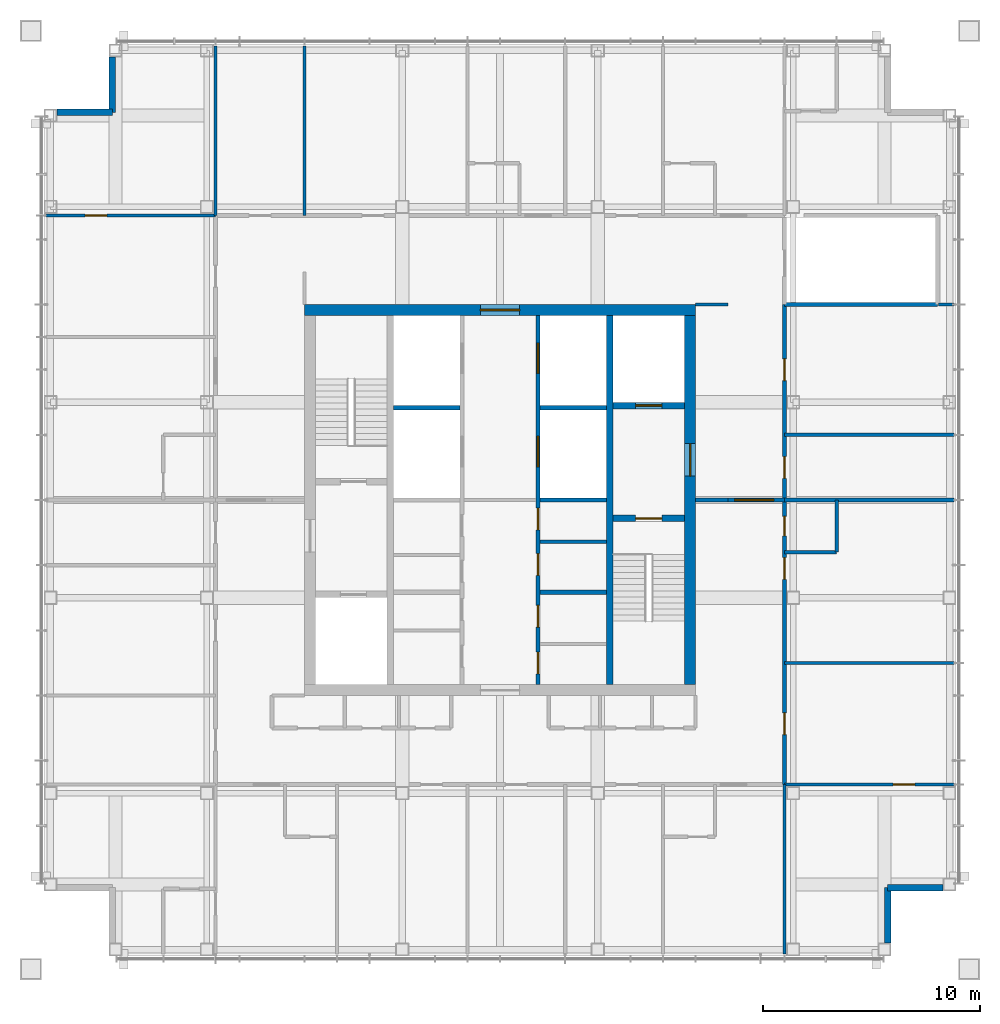
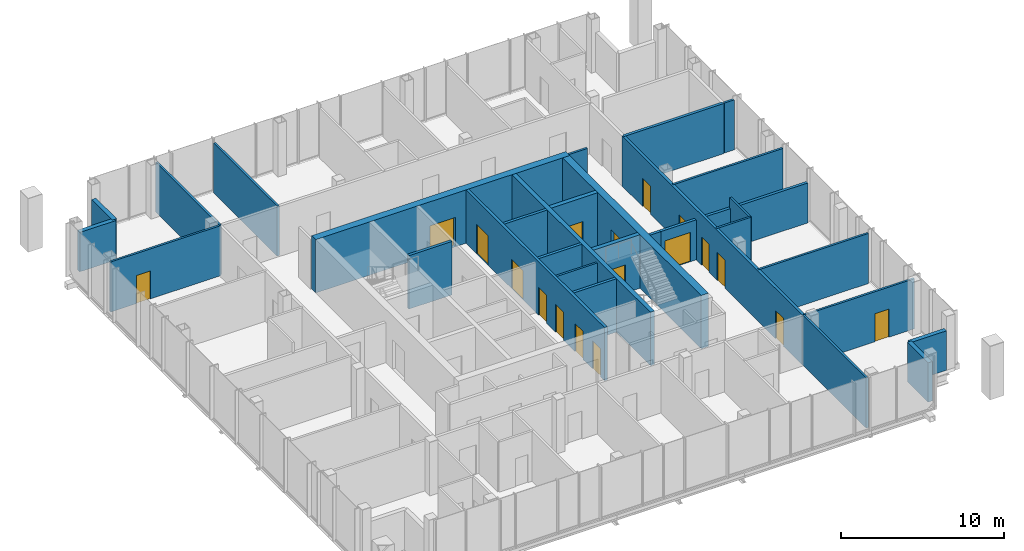
# One storey, part 9 of 12: 31 walls, 18 doors, 18 openings.
"""IFC4 building model written with IfcOpenShell, lengths in metres."""

from ifc_helpers import new_model, si_unit, direction, frame, frame_2d, origin, place, context, subcontext, project, spatial, rectangle, extrude, material, layer, layer_set, type_object, element, fill, save


model = new_model("IFC4")

# Units and contexts
model_context = context("Model", 3, precision=1e-05, world=origin(), true_north=direction((0.0, 1.0)))
body_context = subcontext(model_context, "Body", "Model", "MODEL_VIEW")
ifc_project = project(units=[si_unit("LENGTHUNIT", "METRE"), si_unit("AREAUNIT", "SQUARE_METRE"), si_unit("VOLUMEUNIT", "CUBIC_METRE"), si_unit("PLANEANGLEUNIT", "RADIAN"), si_unit("MASSUNIT", "GRAM", prefix="KILO")], contexts=[model_context])

# Site, building, storey
site_placement = place(None, origin())
site = spatial("IfcSite", under=ifc_project, at=site_placement, CompositionType="ELEMENT")
building_placement = place(site_placement, origin())
building = spatial("IfcBuilding", under=site, at=building_placement, Name="Malebo Sky Hospital", CompositionType="ELEMENT")
storey_placement = place(building_placement, frame((0.0, 0.0, 286.0)))
storey = spatial("IfcBuildingStorey", under=building, at=storey_placement, Name="L69", CompositionType="ELEMENT", Elevation=286.0)

# Wall, openings, doors
ifc_material_1 = material(Name="Concrete C80/95", Category="concrete")
ifc_layer_1 = layer(ifc_material_1, 0.199951171875)
ifc_layer_set_1 = layer_set([ifc_layer_1], Name="CORE INNER WALL 200")
wall_type_1 = type_object("IfcWallType", Name="CORE INNER WALL 200", PredefinedType="SHEAR", material=ifc_layer_set_1)
wall_1_placement = place(storey_placement, frame((61.75, 53.5, 0.0), z_axis=(0.0, 0.0, 1.0), x_axis=(0.0, 1.0, 0.0)))
wall_1 = element("IfcWall", 1, at=wall_1_placement, inside=storey, type_object=wall_type_1, Name="Core wall LE L69", PredefinedType="SHEAR", context=body_context, shape_type="SweptSolid", body=[
    extrude(rectangle(XDim=17.0, YDim=0.199951171875, at=frame_2d((8.5, 0.0))), origin(), (0.0, 0.0, 1.0), 4.0),
])
opening_1_placement = place(wall_1_placement, frame((0.49609375, 0.0, 0.0)))
opening_1 = element("IfcOpeningElement", 2, at=opening_1_placement, cuts=wall_1, Name="Opening D17", PredefinedType="OPENING", context=body_context, shape_type="SweptSolid", body=[
    extrude(rectangle(XDim=1.0, YDim=2.10009765625, at=frame_2d((0.5, 1.050048828125))), frame((0.0, 0.10986328125, 0.0), z_axis=(0.0, -1.0, 0.0), x_axis=(1.0, 0.0, 0.0)), (0.0, 0.0, 1.0), 0.219970703125),
])
opening_2_placement = place(wall_1_placement, frame((2.64599609375, 0.0, 0.0)))
opening_2 = element("IfcOpeningElement", 3, at=opening_2_placement, cuts=wall_1, Name="Opening D17", PredefinedType="OPENING", context=body_context, shape_type="SweptSolid", body=[
    extrude(rectangle(XDim=1.0, YDim=2.10009765625, at=frame_2d((0.5, 1.050048828125))), frame((0.0, 0.10986328125, 0.0), z_axis=(0.0, -1.0, 0.0), x_axis=(1.0, 0.0, 0.0)), (0.0, 0.0, 1.0), 0.219970703125),
])
opening_3_placement = place(wall_1_placement, frame((5.026611328125, 0.0, 0.0)))
opening_3 = element("IfcOpeningElement", 4, at=opening_3_placement, cuts=wall_1, Name="Opening D17", PredefinedType="OPENING", context=body_context, shape_type="SweptSolid", body=[
    extrude(rectangle(XDim=1.0, YDim=2.10009765625, at=frame_2d((0.5, 1.050048828125))), frame((0.0, 0.10986328125, 0.0), z_axis=(0.0, -1.0, 0.0), x_axis=(1.0, 0.0, 0.0)), (0.0, 0.0, 1.0), 0.219970703125),
])
opening_4_placement = place(wall_1_placement, frame((7.12646484375, 0.0, 0.0)))
opening_4 = element("IfcOpeningElement", 5, at=opening_4_placement, cuts=wall_1, Name="Opening D17", PredefinedType="OPENING", context=body_context, shape_type="SweptSolid", body=[
    extrude(rectangle(XDim=1.0, YDim=2.10009765625, at=frame_2d((0.5, 1.050048828125))), frame((0.0, 0.10986328125, 0.0), z_axis=(0.0, -1.0, 0.0), x_axis=(1.0, 0.0, 0.0)), (0.0, 0.0, 1.0), 0.219970703125),
])
opening_5_placement = place(wall_1_placement, frame((10.02490234375, 0.0, 0.0)))
opening_5 = element("IfcOpeningElement", 6, at=opening_5_placement, cuts=wall_1, Name="Opening LD1", PredefinedType="OPENING", context=body_context, shape_type="SweptSolid", body=[
    extrude(rectangle(XDim=1.39990234375, YDim=2.199951171875, at=frame_2d((0.699951171875, 1.10009765625))), frame((0.0, 0.10986328125, 0.0), z_axis=(0.0, -1.0, 0.0), x_axis=(1.0, 0.0, 0.0)), (0.0, 0.0, 1.0), 0.219970703125),
])
opening_6_placement = place(wall_1_placement, frame((14.324951171875, 0.0, 0.0)))
opening_6 = element("IfcOpeningElement", 7, at=opening_6_placement, cuts=wall_1, Name="Opening LD1", PredefinedType="OPENING", context=body_context, shape_type="SweptSolid", body=[
    extrude(rectangle(XDim=1.39990234375, YDim=2.199951171875, at=frame_2d((0.699951171875, 1.10009765625))), frame((0.0, 0.10986328125, 0.0), z_axis=(0.0, -1.0, 0.0), x_axis=(1.0, 0.0, 0.0)), (0.0, 0.0, 1.0), 0.219970703125),
])
ifc_material_2 = material(Name="Hardwood-faced door leaf in steel frame", Category="steel")
door_type_1 = type_object("IfcDoorType", Name="FIRE DOOR 1000", OperationType="SINGLE_SWING_LEFT", PredefinedType="DOOR", material=ifc_material_2)
door_1_placement = place(opening_1_placement, origin())
door_1 = element("IfcDoor", 8, at=door_1_placement, inside=storey, type_object=door_type_1, Name="Records store door", OperationType="SINGLE_SWING_RIGHT", OverallHeight=2.10009765625, OverallWidth=1.0, PredefinedType="DOOR", context=body_context, shape_type="SweptSolid", body=[
    extrude(rectangle(XDim=1.0, YDim=2.10009765625, at=frame_2d((0.5, 1.050048828125))), frame((0.0, 0.02490234375, 0.0), z_axis=(0.0, -1.0, 0.0), x_axis=(1.0, 0.0, 0.0)), (0.0, 0.0, 1.0), 0.050048828125),
])
fill(opening_1, door_1)
door_2_placement = place(opening_2_placement, origin())
door_2 = element("IfcDoor", 9, at=door_2_placement, inside=storey, type_object=door_type_1, Name="Equipment store door", OperationType="SINGLE_SWING_RIGHT", OverallHeight=2.10009765625, OverallWidth=1.0, PredefinedType="DOOR", context=body_context, shape_type="SweptSolid", body=[
    extrude(rectangle(XDim=1.0, YDim=2.10009765625, at=frame_2d((0.5, 1.050048828125))), frame((0.0, 0.02490234375, 0.0), z_axis=(0.0, -1.0, 0.0), x_axis=(1.0, 0.0, 0.0)), (0.0, 0.0, 1.0), 0.050048828125),
])
fill(opening_2, door_2)
door_3_placement = place(opening_3_placement, origin())
door_3 = element("IfcDoor", 10, at=door_3_placement, inside=storey, type_object=door_type_1, Name="Linen store door", OperationType="SINGLE_SWING_RIGHT", OverallHeight=2.10009765625, OverallWidth=1.0, PredefinedType="DOOR", context=body_context, shape_type="SweptSolid", body=[
    extrude(rectangle(XDim=1.0, YDim=2.10009765625, at=frame_2d((0.5, 1.050048828125))), frame((0.0, 0.02490234375, 0.0), z_axis=(0.0, -1.0, 0.0), x_axis=(1.0, 0.0, 0.0)), (0.0, 0.0, 1.0), 0.050048828125),
])
fill(opening_3, door_3)
door_4_placement = place(opening_4_placement, origin())
door_4 = element("IfcDoor", 11, at=door_4_placement, inside=storey, type_object=door_type_1, Name="Supplies store door", OperationType="SINGLE_SWING_RIGHT", OverallHeight=2.10009765625, OverallWidth=1.0, PredefinedType="DOOR", context=body_context, shape_type="SweptSolid", body=[
    extrude(rectangle(XDim=1.0, YDim=2.10009765625, at=frame_2d((0.5, 1.050048828125))), frame((0.0, 0.02490234375, 0.0), z_axis=(0.0, -1.0, 0.0), x_axis=(1.0, 0.0, 0.0)), (0.0, 0.0, 1.0), 0.050048828125),
])
fill(opening_4, door_4)
ifc_material_3 = material(Name="Stainless steel sliding landing door", Category="steel")
door_type_2 = type_object("IfcDoorType", Name="LIFT LANDING DOOR 1400", OperationType="SLIDING_TO_LEFT", PredefinedType="DOOR", material=ifc_material_3)
door_5_placement = place(opening_5_placement, origin())
door_5 = element("IfcDoor", 12, at=door_5_placement, inside=storey, type_object=door_type_2, Name="Lift E3 landing door", OperationType="SLIDING_TO_LEFT", OverallHeight=2.199951171875, OverallWidth=1.39990234375, PredefinedType="DOOR", context=body_context, shape_type="SweptSolid", body=[
    extrude(rectangle(XDim=1.39990234375, YDim=2.199951171875, at=frame_2d((0.699951171875, 1.10009765625))), frame((0.0, 0.02490234375, 0.0), z_axis=(0.0, -1.0, 0.0), x_axis=(1.0, 0.0, 0.0)), (0.0, 0.0, 1.0), 0.050048828125),
])
fill(opening_5, door_5)
door_6_placement = place(opening_6_placement, origin())
door_6 = element("IfcDoor", 13, at=door_6_placement, inside=storey, type_object=door_type_2, Name="Lift E4 landing door", OperationType="SLIDING_TO_LEFT", OverallHeight=2.199951171875, OverallWidth=1.39990234375, PredefinedType="DOOR", context=body_context, shape_type="SweptSolid", body=[
    extrude(rectangle(XDim=1.39990234375, YDim=2.199951171875, at=frame_2d((0.699951171875, 1.10009765625))), frame((0.0, 0.02490234375, 0.0), z_axis=(0.0, -1.0, 0.0), x_axis=(1.0, 0.0, 0.0)), (0.0, 0.0, 1.0), 0.050048828125),
])
fill(opening_6, door_6)

# Walls
for number, where, z_axis, x_axis, name in (
    (14, (61.85009765625, 57.75, 0.0), (0.0, 0.0, 1.0), (1.0, 0.0, 0.0), "Core wall SE0 L69"),
    (15, (61.85009765625, 62.0, 0.0), (0.0, 0.0, 1.0), (1.0, 0.0, 0.0), "Core wall SE1 L69"),
    (16, (55.10009765625, 66.25, 0.0), (0.0, 0.0, 1.0), (1.0, 0.0, 0.0), "Core wall SW2 L69"),
    (17, (61.85009765625, 66.25, 0.0), (0.0, 0.0, 1.0), (1.0, 0.0, 0.0), "Core wall SE2 L69"),
):
    element("IfcWall", number, at=place(storey_placement, frame(where, z_axis=z_axis, x_axis=x_axis)), inside=storey, type_object=wall_type_1, Name=name, PredefinedType="SHEAR", context=body_context, shape_type="SweptSolid", body=[
        extrude(rectangle(XDim=3.0498046875, YDim=0.199951171875, at=frame_2d((1.52490234375, 0.0))), origin(), (0.0, 0.0, 1.0), 4.0),
    ])
ifc_layer_2 = layer(ifc_material_1, 0.300048828125)
ifc_layer_set_2 = layer_set([ifc_layer_2], Name="CORE INNER WALL 300")
wall_type_2 = type_object("IfcWallType", Name="CORE INNER WALL 300", PredefinedType="SHEAR", material=ifc_layer_set_2)
wall_2_placement = place(storey_placement, frame((65.050048828125, 53.5, 0.0), z_axis=(0.0, 0.0, 1.0), x_axis=(0.0, 1.0, 0.0)))
element("IfcWall", 18, at=wall_2_placement, inside=storey, type_object=wall_type_2, Name="Core wall XE L69", PredefinedType="SHEAR", context=body_context, shape_type="SweptSolid", body=[
    extrude(rectangle(XDim=17.0, YDim=0.300048828125, at=frame_2d((8.5, 0.0))), origin(), (0.0, 0.0, 1.0), 4.0),
])

# Wall, opening, door
wall_3_placement = place(storey_placement, frame((65.199951171875, 61.14990234375, 0.0), z_axis=(0.0, 0.0, 1.0), x_axis=(1.0, 0.0, 0.0)))
wall_3 = element("IfcWall", 19, at=wall_3_placement, inside=storey, type_object=wall_type_2, Name="Core wall E1 L69", PredefinedType="SHEAR", context=body_context, shape_type="SweptSolid", body=[
    extrude(rectangle(XDim=3.300048828125, YDim=0.300048828125, at=frame_2d((1.64990234375, 0.0))), origin(), (0.0, 0.0, 1.0), 4.0),
])
opening_7_placement = place(wall_3_placement, frame((1.050048828125, 0.0, 0.0)))
opening_7 = element("IfcOpeningElement", 20, at=opening_7_placement, cuts=wall_3, Name="Opening D08", PredefinedType="OPENING", context=body_context, shape_type="SweptSolid", body=[
    extrude(rectangle(XDim=1.199951171875, YDim=2.10009765625, at=frame_2d((0.60009765625, 1.050048828125))), frame((0.0, 0.159912109375, 0.0), z_axis=(0.0, -1.0, 0.0), x_axis=(1.0, 0.0, 0.0)), (0.0, 0.0, 1.0), 0.320068359375),
])
door_type_3 = type_object("IfcDoorType", Name="STAIR DOOR 1200", OperationType="SINGLE_SWING_LEFT", PredefinedType="DOOR", material=ifc_material_2)
door_7_placement = place(opening_7_placement, origin())
door_7 = element("IfcDoor", 21, at=door_7_placement, inside=storey, type_object=door_type_3, Name="Stair S2 door", OperationType="SINGLE_SWING_LEFT", OverallHeight=2.10009765625, OverallWidth=1.199951171875, PredefinedType="DOOR", context=body_context, shape_type="SweptSolid", body=[
    extrude(rectangle(XDim=1.199951171875, YDim=2.10009765625, at=frame_2d((0.60009765625, 1.050048828125))), frame((0.0, 0.02490234375, 0.0), z_axis=(0.0, -1.0, 0.0), x_axis=(1.0, 0.0, 0.0)), (0.0, 0.0, 1.0), 0.050048828125),
])
fill(opening_7, door_7)

wall_4_placement = place(storey_placement, frame((65.199951171875, 66.35009765625, 0.0), z_axis=(0.0, 0.0, 1.0), x_axis=(1.0, 0.0, 0.0)))
wall_4 = element("IfcWall", 22, at=wall_4_placement, inside=storey, type_object=wall_type_2, Name="Core wall E2 L69", PredefinedType="SHEAR", context=body_context, shape_type="SweptSolid", body=[
    extrude(rectangle(XDim=3.300048828125, YDim=0.300048828125, at=frame_2d((1.64990234375, 0.0))), origin(), (0.0, 0.0, 1.0), 4.0),
])
opening_8_placement = place(wall_4_placement, frame((1.050048828125, 0.0, 0.0)))
opening_8 = element("IfcOpeningElement", 23, at=opening_8_placement, cuts=wall_4, Name="Opening LD2", PredefinedType="OPENING", context=body_context, shape_type="SweptSolid", body=[
    extrude(rectangle(XDim=1.199951171875, YDim=2.199951171875, at=frame_2d((0.60009765625, 1.10009765625))), frame((0.0, 0.159912109375, 0.0), z_axis=(0.0, -1.0, 0.0), x_axis=(1.0, 0.0, 0.0)), (0.0, 0.0, 1.0), 0.320068359375),
])
door_type_4 = type_object("IfcDoorType", Name="FIRE-FIGHTING LIFT LANDING DOOR 1200", OperationType="SLIDING_TO_LEFT", PredefinedType="DOOR", material=ifc_material_3)
door_8_placement = place(opening_8_placement, origin())
door_8 = element("IfcDoor", 24, at=door_8_placement, inside=storey, type_object=door_type_4, Name="Lift FL2 landing door", OperationType="SLIDING_TO_LEFT", OverallHeight=2.199951171875, OverallWidth=1.199951171875, PredefinedType="DOOR", context=body_context, shape_type="SweptSolid", body=[
    extrude(rectangle(XDim=1.199951171875, YDim=2.199951171875, at=frame_2d((0.60009765625, 1.10009765625))), frame((0.0, 0.02490234375, 0.0), z_axis=(0.0, -1.0, 0.0), x_axis=(1.0, 0.0, 0.0)), (0.0, 0.0, 1.0), 0.050048828125),
])
fill(opening_8, door_8)

ifc_layer_3 = layer(ifc_material_1, 0.5)
ifc_layer_set_3 = layer_set([ifc_layer_3], Name="CORE WALL 500")
wall_type_3 = type_object("IfcWallType", Name="CORE WALL 500", PredefinedType="SHEAR", material=ifc_layer_set_3)
wall_5_placement = place(storey_placement, frame((51.0, 70.75, 0.0), z_axis=(0.0, 0.0, 1.0), x_axis=(1.0, 0.0, 0.0)))
wall_5 = element("IfcWall", 25, at=wall_5_placement, inside=storey, type_object=wall_type_3, Name="Core wall N L69", PredefinedType="SHEAR", context=body_context, shape_type="SweptSolid", body=[
    extrude(rectangle(XDim=18.0, YDim=0.5, at=frame_2d((9.0, 0.0))), origin(), (0.0, 0.0, 1.0), 4.0),
])
opening_9_placement = place(wall_5_placement, frame((8.10009765625, 0.0, 0.0)))
opening_9 = element("IfcOpeningElement", 26, at=opening_9_placement, cuts=wall_5, Name="Opening D06", PredefinedType="OPENING", context=body_context, shape_type="SweptSolid", body=[
    extrude(rectangle(XDim=1.800048828125, YDim=2.199951171875, at=frame_2d((0.89990234375, 1.10009765625))), frame((0.0, 0.260009765625, 0.0), z_axis=(0.0, -1.0, 0.0), x_axis=(1.0, 0.0, 0.0)), (0.0, 0.0, 1.0), 0.52001953125),
])
door_type_5 = type_object("IfcDoorType", Name="LOBBY DOOR PAIR 1800", OperationType="DOUBLE_DOOR_SINGLE_SWING", PredefinedType="DOOR", material=ifc_material_2)
door_9_placement = place(opening_9_placement, origin())
door_9 = element("IfcDoor", 27, at=door_9_placement, inside=storey, type_object=door_type_5, Name="Lift lobby door north", OperationType="DOUBLE_DOOR_SINGLE_SWING", OverallHeight=2.199951171875, OverallWidth=1.800048828125, PredefinedType="DOOR", context=body_context, shape_type="SweptSolid", body=[
    extrude(rectangle(XDim=1.800048828125, YDim=2.199951171875, at=frame_2d((0.89990234375, 1.10009765625))), frame((0.0, 0.02490234375, 0.0), z_axis=(0.0, -1.0, 0.0), x_axis=(1.0, 0.0, 0.0)), (0.0, 0.0, 1.0), 0.050048828125),
])
fill(opening_9, door_9)

wall_6_placement = place(storey_placement, frame((68.75, 53.5, 0.0), z_axis=(0.0, 0.0, 1.0), x_axis=(0.0, 1.0, 0.0)))
wall_6 = element("IfcWall", 28, at=wall_6_placement, inside=storey, type_object=wall_type_3, Name="Core wall E L69", PredefinedType="SHEAR", context=body_context, shape_type="SweptSolid", body=[
    extrude(rectangle(XDim=17.0, YDim=0.5, at=frame_2d((8.5, 0.0))), origin(), (0.0, 0.0, 1.0), 4.0),
])
opening_10_placement = place(wall_6_placement, frame((9.60009765625, 0.0, 0.0)))
opening_10 = element("IfcOpeningElement", 29, at=opening_10_placement, cuts=wall_6, Name="Opening D07", PredefinedType="OPENING", context=body_context, shape_type="SweptSolid", body=[
    extrude(rectangle(XDim=1.5, YDim=2.199951171875, at=frame_2d((0.75, 1.10009765625))), frame((0.0, 0.260009765625, 0.0), z_axis=(0.0, -1.0, 0.0), x_axis=(1.0, 0.0, 0.0)), (0.0, 0.0, 1.0), 0.52001953125),
])
door_type_6 = type_object("IfcDoorType", Name="FIRE-FIGHTING LOBBY DOOR PAIR 1500", OperationType="DOUBLE_DOOR_SINGLE_SWING", PredefinedType="DOOR", material=ifc_material_2)
door_10_placement = place(opening_10_placement, origin())
door_10 = element("IfcDoor", 30, at=door_10_placement, inside=storey, type_object=door_type_6, Name="Fire-fighting lobby door east", OperationType="DOUBLE_DOOR_SINGLE_SWING", OverallHeight=2.199951171875, OverallWidth=1.5, PredefinedType="DOOR", context=body_context, shape_type="SweptSolid", body=[
    extrude(rectangle(XDim=1.5, YDim=2.199951171875, at=frame_2d((0.75, 1.10009765625))), frame((0.0, 0.02490234375, 0.0), z_axis=(0.0, -1.0, 0.0), x_axis=(1.0, 0.0, 0.0)), (0.0, 0.0, 1.0), 0.050048828125),
])
fill(opening_10, door_10)

# Wall, openings, doors
ifc_material_4 = material(Name="Gypsum board on steel studs", Category="steel")
ifc_layer_4 = layer(ifc_material_4, 0.199951171875)
ifc_layer_set_4 = layer_set([ifc_layer_4], Name="CORRIDOR WALL 200")
wall_type_4 = type_object("IfcWallType", Name="CORRIDOR WALL 200", PredefinedType="PARTITIONING", material=ifc_layer_set_4)
wall_7_placement = place(storey_placement, frame((73.10009765625, 71.0, 0.0), z_axis=(0.0, 0.0, 1.0), x_axis=(0.0, -1.0, 0.0)))
wall_7 = element("IfcWall", 31, at=wall_7_placement, inside=storey, type_object=wall_type_4, Name="Corridor Wall 200 ECO", PredefinedType="PARTITIONING", context=body_context, shape_type="SweptSolid", body=[
    extrude(rectangle(XDim=22.10009765625, YDim=0.199951171875, at=frame_2d((11.050048828125, 0.0))), origin(), (0.0, 0.0, 1.0), 3.75),
])
opening_11_placement = place(wall_7_placement, frame((2.5, 0.0, 0.0)))
opening_11 = element("IfcOpeningElement", 32, at=opening_11_placement, cuts=wall_7, Name="Opening D03", PredefinedType="OPENING", context=body_context, shape_type="SweptSolid", body=[
    extrude(rectangle(XDim=1.0, YDim=2.10009765625, at=frame_2d((0.5, 1.050048828125))), frame((0.0, 0.10986328125, 0.0), z_axis=(0.0, -1.0, 0.0), x_axis=(1.0, 0.0, 0.0)), (0.0, 0.0, 1.0), 0.219970703125),
])
opening_12_placement = place(wall_7_placement, frame((7.0, 0.0, 0.0)))
opening_12 = element("IfcOpeningElement", 33, at=opening_12_placement, cuts=wall_7, Name="Opening D03", PredefinedType="OPENING", context=body_context, shape_type="SweptSolid", body=[
    extrude(rectangle(XDim=1.0, YDim=2.10009765625, at=frame_2d((0.5, 1.050048828125))), frame((0.0, 0.10986328125, 0.0), z_axis=(0.0, -1.0, 0.0), x_axis=(1.0, 0.0, 0.0)), (0.0, 0.0, 1.0), 0.219970703125),
])
opening_13_placement = place(wall_7_placement, frame((9.75, 0.0, 0.0)))
opening_13 = element("IfcOpeningElement", 34, at=opening_13_placement, cuts=wall_7, Name="Opening D04", PredefinedType="OPENING", context=body_context, shape_type="SweptSolid", body=[
    extrude(rectangle(XDim=0.89990234375, YDim=2.10009765625, at=frame_2d((0.449951171875, 1.050048828125))), frame((0.0, 0.10986328125, 0.0), z_axis=(0.0, -1.0, 0.0), x_axis=(1.0, 0.0, 0.0)), (0.0, 0.0, 1.0), 0.219970703125),
])
opening_14_placement = place(wall_7_placement, frame((11.64990234375, 0.0, 0.0)))
opening_14 = element("IfcOpeningElement", 35, at=opening_14_placement, cuts=wall_7, Name="Opening D03", PredefinedType="OPENING", context=body_context, shape_type="SweptSolid", body=[
    extrude(rectangle(XDim=1.0, YDim=2.10009765625, at=frame_2d((0.5, 1.050048828125))), frame((0.0, 0.10986328125, 0.0), z_axis=(0.0, -1.0, 0.0), x_axis=(1.0, 0.0, 0.0)), (0.0, 0.0, 1.0), 0.219970703125),
])
opening_15_placement = place(wall_7_placement, frame((18.800048828125, 0.0, 0.0)))
opening_15 = element("IfcOpeningElement", 36, at=opening_15_placement, cuts=wall_7, Name="Opening D03", PredefinedType="OPENING", context=body_context, shape_type="SweptSolid", body=[
    extrude(rectangle(XDim=1.0, YDim=2.10009765625, at=frame_2d((0.5, 1.050048828125))), frame((0.0, 0.10986328125, 0.0), z_axis=(0.0, -1.0, 0.0), x_axis=(1.0, 0.0, 0.0)), (0.0, 0.0, 1.0), 0.219970703125),
])
door_type_7 = type_object("IfcDoorType", Name="ROOM DOOR 1000", OperationType="SINGLE_SWING_LEFT", PredefinedType="DOOR", material=ifc_material_2)
door_11_placement = place(opening_11_placement, origin())
door_11 = element("IfcDoor", 37, at=door_11_placement, inside=storey, type_object=door_type_7, Name="Relatives' kitchen door", OperationType="SINGLE_SWING_LEFT", OverallHeight=2.10009765625, OverallWidth=1.0, PredefinedType="DOOR", context=body_context, shape_type="SweptSolid", body=[
    extrude(rectangle(XDim=1.0, YDim=2.10009765625, at=frame_2d((0.5, 1.050048828125))), frame((0.0, 0.02490234375, 0.0), z_axis=(0.0, -1.0, 0.0), x_axis=(1.0, 0.0, 0.0)), (0.0, 0.0, 1.0), 0.050048828125),
])
fill(opening_11, door_11)
door_12_placement = place(opening_12_placement, origin())
door_12 = element("IfcDoor", 38, at=door_12_placement, inside=storey, type_object=door_type_7, Name="Quiet room door", OperationType="SINGLE_SWING_RIGHT", OverallHeight=2.10009765625, OverallWidth=1.0, PredefinedType="DOOR", context=body_context, shape_type="SweptSolid", body=[
    extrude(rectangle(XDim=1.0, YDim=2.10009765625, at=frame_2d((0.5, 1.050048828125))), frame((0.0, 0.02490234375, 0.0), z_axis=(0.0, -1.0, 0.0), x_axis=(1.0, 0.0, 0.0)), (0.0, 0.0, 1.0), 0.050048828125),
])
fill(opening_12, door_12)
door_13_placement = place(opening_14_placement, origin())
door_13 = element("IfcDoor", 39, at=door_13_placement, inside=storey, type_object=door_type_7, Name="Staff rest room door", OperationType="SINGLE_SWING_LEFT", OverallHeight=2.10009765625, OverallWidth=1.0, PredefinedType="DOOR", context=body_context, shape_type="SweptSolid", body=[
    extrude(rectangle(XDim=1.0, YDim=2.10009765625, at=frame_2d((0.5, 1.050048828125))), frame((0.0, 0.02490234375, 0.0), z_axis=(0.0, -1.0, 0.0), x_axis=(1.0, 0.0, 0.0)), (0.0, 0.0, 1.0), 0.050048828125),
])
fill(opening_14, door_13)
door_14_placement = place(opening_15_placement, origin())
door_14 = element("IfcDoor", 40, at=door_14_placement, inside=storey, type_object=door_type_7, Name="Patient lounge door", OperationType="SINGLE_SWING_RIGHT", OverallHeight=2.10009765625, OverallWidth=1.0, PredefinedType="DOOR", context=body_context, shape_type="SweptSolid", body=[
    extrude(rectangle(XDim=1.0, YDim=2.10009765625, at=frame_2d((0.5, 1.050048828125))), frame((0.0, 0.02490234375, 0.0), z_axis=(0.0, -1.0, 0.0), x_axis=(1.0, 0.0, 0.0)), (0.0, 0.0, 1.0), 0.050048828125),
])
fill(opening_15, door_14)
door_type_8 = type_object("IfcDoorType", Name="ROOM DOOR 900", OperationType="SINGLE_SWING_LEFT", PredefinedType="DOOR", material=ifc_material_2)
door_15_placement = place(opening_13_placement, origin())
door_15 = element("IfcDoor", 41, at=door_15_placement, inside=storey, type_object=door_type_8, Name="Accessible WC door", OperationType="SINGLE_SWING_LEFT", OverallHeight=2.10009765625, OverallWidth=0.89990234375, PredefinedType="DOOR", context=body_context, shape_type="SweptSolid", body=[
    extrude(rectangle(XDim=0.89990234375, YDim=2.10009765625, at=frame_2d((0.449951171875, 1.050048828125))), frame((0.0, 0.02490234375, 0.0), z_axis=(0.0, -1.0, 0.0), x_axis=(1.0, 0.0, 0.0)), (0.0, 0.0, 1.0), 0.050048828125),
])
fill(opening_13, door_15)

# Walls
ifc_material_5 = material(Name="Anodised aluminium rainscreen on steel framing", Category="steel")
ifc_layer_5 = layer(ifc_material_5, 0.300048828125)
ifc_layer_set_5 = layer_set([ifc_layer_5], Name="NOTCH RAINSCREEN WALL 300")
wall_type_5 = type_object("IfcWallType", Name="NOTCH RAINSCREEN WALL 300", PredefinedType="ELEMENTEDWALL", material=ifc_layer_set_5)
for number, where, z_axis, x_axis, name in (
    (42, (39.60009765625, 79.85009765625, 0.0), (0.0, 0.0, 1.0), (1.0, 0.0, 0.0), "Notch rainscreen wall W1 L69"),
    (43, (42.14990234375, 79.85009765625, 0.0), (0.0, 0.0, 1.0), (0.0, 1.0, 0.0), "Notch rainscreen wall W2 L69"),
    (44, (80.39990234375, 44.14990234375, 0.0), (0.0, 0.0, 1.0), (-1.0, 0.0, 0.0), "Notch rainscreen wall E1 L69"),
    (45, (77.85009765625, 44.14990234375, 0.0), (0.0, 0.0, 1.0), (0.0, -1.0, 0.0), "Notch rainscreen wall E2 L69"),
):
    element("IfcWall", number, at=place(storey_placement, frame(where, z_axis=z_axis, x_axis=x_axis)), inside=storey, type_object=wall_type_5, Name=name, PredefinedType="ELEMENTEDWALL", context=body_context, shape_type="SweptSolid", body=[
        extrude(rectangle(XDim=2.5498046875, YDim=0.300048828125, at=frame_2d((1.27490234375, 0.0))), origin(), (0.0, 0.0, 1.0), 2.949951171875),
    ])
ifc_layer_6 = layer(ifc_material_4, 0.14990234375)
ifc_layer_set_6 = layer_set([ifc_layer_6], Name="PARTITION 150")
wall_type_6 = type_object("IfcWallType", Name="PARTITION 150", PredefinedType="PARTITIONING", material=ifc_layer_set_6)
for number, where, z_axis, x_axis, name in (
    (46, (51.0, 75.10009765625, 0.0), (0.0, 0.0, 1.0), (0.0, 1.0, 0.0), "Partition 150 NP-9.0"),
    (47, (46.89990234375, 75.10009765625, 0.0), (0.0, 0.0, 1.0), (0.0, 1.0, 0.0), "Partition 150 NP0"),
):
    element("IfcWall", number, at=place(storey_placement, frame(where, z_axis=z_axis, x_axis=x_axis)), inside=storey, type_object=wall_type_6, Name=name, PredefinedType="PARTITIONING", context=body_context, shape_type="SweptSolid", body=[
        extrude(rectangle(XDim=7.7998046875, YDim=0.14990234375, at=frame_2d((3.89990234375, 0.0))), origin(), (0.0, 0.0, 1.0), 3.75),
    ])

# Wall, opening, door
wall_8_placement = place(storey_placement, frame((46.89990234375, 75.10009765625, 0.0), z_axis=(0.0, 0.0, 1.0), x_axis=(-1.0, 0.0, 0.0)))
wall_8 = element("IfcWall", 48, at=wall_8_placement, inside=storey, type_object=wall_type_6, Name="Partition 150 WK", PredefinedType="PARTITIONING", context=body_context, shape_type="SweptSolid", body=[
    extrude(rectangle(XDim=7.7998046875, YDim=0.14990234375, at=frame_2d((3.89990234375, 0.0))), origin(), (0.0, 0.0, 1.0), 3.75),
])
opening_16_placement = place(wall_8_placement, frame((5.0, 0.0, 0.0)))
opening_16 = element("IfcOpeningElement", 49, at=opening_16_placement, cuts=wall_8, Name="Opening D03", PredefinedType="OPENING", context=body_context, shape_type="SweptSolid", body=[
    extrude(rectangle(XDim=1.0, YDim=2.10009765625, at=frame_2d((0.5, 1.050048828125))), frame((0.0, 0.0849609375, 0.0), z_axis=(0.0, -1.0, 0.0), x_axis=(1.0, 0.0, 0.0)), (0.0, 0.0, 1.0), 0.169921875),
])
door_16_placement = place(opening_16_placement, origin())
door_16 = element("IfcDoor", 50, at=door_16_placement, inside=storey, type_object=door_type_7, Name="Family kitchen door", OperationType="SINGLE_SWING_RIGHT", OverallHeight=2.10009765625, OverallWidth=1.0, PredefinedType="DOOR", context=body_context, shape_type="SweptSolid", body=[
    extrude(rectangle(XDim=1.0, YDim=2.10009765625, at=frame_2d((0.5, 1.050048828125))), frame((0.0, 0.02490234375, 0.0), z_axis=(0.0, -1.0, 0.0), x_axis=(1.0, 0.0, 0.0)), (0.0, 0.0, 1.0), 0.050048828125),
])
fill(opening_16, door_16)

# Walls
wall_9_placement = place(storey_placement, frame((73.10009765625, 48.89990234375, 0.0), z_axis=(0.0, 0.0, 1.0), x_axis=(0.0, -1.0, 0.0)))
element("IfcWall", 51, at=wall_9_placement, inside=storey, type_object=wall_type_6, Name="Partition 150 SP0", PredefinedType="PARTITIONING", context=body_context, shape_type="SweptSolid", body=[
    extrude(rectangle(XDim=7.7998046875, YDim=0.14990234375, at=frame_2d((3.89990234375, 0.0))), origin(), (0.0, 0.0, 1.0), 3.75),
])
wall_10_placement = place(storey_placement, frame((80.199951171875, 71.0, 0.0), z_axis=(0.0, 0.0, 1.0), x_axis=(1.0, 0.0, 0.0)))
element("IfcWall", 52, at=wall_10_placement, inside=storey, type_object=wall_type_6, Name="Partition 150 EP-9.0", PredefinedType="PARTITIONING", context=body_context, shape_type="SweptSolid", body=[
    extrude(rectangle(XDim=0.699951171875, YDim=0.14990234375, at=frame_2d((0.35009765625, 0.0))), origin(), (0.0, 0.0, 1.0), 3.75),
])
for number, where, z_axis, x_axis, name in (
    (53, (73.10009765625, 65.0, 0.0), (0.0, 0.0, 1.0), (1.0, 0.0, 0.0), "Partition 150 EP-3.0"),
    (54, (73.10009765625, 54.5, 0.0), (0.0, 0.0, 1.0), (1.0, 0.0, 0.0), "Partition 150 EP+7.5"),
):
    element("IfcWall", number, at=place(storey_placement, frame(where, z_axis=z_axis, x_axis=x_axis)), inside=storey, type_object=wall_type_6, Name=name, PredefinedType="PARTITIONING", context=body_context, shape_type="SweptSolid", body=[
        extrude(rectangle(XDim=7.7998046875, YDim=0.14990234375, at=frame_2d((3.89990234375, 0.0))), origin(), (0.0, 0.0, 1.0), 3.75),
    ])
for number, where, z_axis, x_axis, name in (
    (55, (75.5, 62.0, 0.0), (0.0, 0.0, 1.0), (0.0, -1.0, 0.0), "Partition 150 EC3F"),
    (56, (73.10009765625, 59.60009765625, 0.0), (0.0, 0.0, 1.0), (1.0, 0.0, 0.0), "Partition 150 EC3S"),
):
    element("IfcWall", number, at=place(storey_placement, frame(where, z_axis=z_axis, x_axis=x_axis)), inside=storey, type_object=wall_type_6, Name=name, PredefinedType="PARTITIONING", context=body_context, shape_type="SweptSolid", body=[
        extrude(rectangle(XDim=2.39990234375, YDim=0.14990234375, at=frame_2d((1.199951171875, 0.0))), origin(), (0.0, 0.0, 1.0), 3.75),
    ])

# Wall, opening, door
wall_11_placement = place(storey_placement, frame((73.10009765625, 48.89990234375, 0.0), z_axis=(0.0, 0.0, 1.0), x_axis=(1.0, 0.0, 0.0)))
wall_11 = element("IfcWall", 57, at=wall_11_placement, inside=storey, type_object=wall_type_6, Name="Partition 150 EK", PredefinedType="PARTITIONING", context=body_context, shape_type="SweptSolid", body=[
    extrude(rectangle(XDim=7.7998046875, YDim=0.14990234375, at=frame_2d((3.89990234375, 0.0))), origin(), (0.0, 0.0, 1.0), 3.75),
])
opening_17_placement = place(wall_11_placement, frame((5.0, 0.0, 0.0)))
opening_17 = element("IfcOpeningElement", 58, at=opening_17_placement, cuts=wall_11, Name="Opening D03", PredefinedType="OPENING", context=body_context, shape_type="SweptSolid", body=[
    extrude(rectangle(XDim=1.0, YDim=2.10009765625, at=frame_2d((0.5, 1.050048828125))), frame((0.0, 0.0849609375, 0.0), z_axis=(0.0, -1.0, 0.0), x_axis=(1.0, 0.0, 0.0)), (0.0, 0.0, 1.0), 0.169921875),
])
door_17_placement = place(opening_17_placement, origin())
door_17 = element("IfcDoor", 59, at=door_17_placement, inside=storey, type_object=door_type_7, Name="Quiet room door", OperationType="SINGLE_SWING_RIGHT", OverallHeight=2.10009765625, OverallWidth=1.0, PredefinedType="DOOR", context=body_context, shape_type="SweptSolid", body=[
    extrude(rectangle(XDim=1.0, YDim=2.10009765625, at=frame_2d((0.5, 1.050048828125))), frame((0.0, 0.02490234375, 0.0), z_axis=(0.0, -1.0, 0.0), x_axis=(1.0, 0.0, 0.0)), (0.0, 0.0, 1.0), 0.050048828125),
])
fill(opening_17, door_17)

# Walls
wall_12_placement = place(storey_placement, frame((69.0, 71.0, 0.0), z_axis=(0.0, 0.0, 1.0), x_axis=(1.0, 0.0, 0.0)))
element("IfcWall", 60, at=wall_12_placement, inside=storey, type_object=wall_type_6, Name="Partition 150 ESP0", PredefinedType="PARTITIONING", context=body_context, shape_type="SweptSolid", body=[
    extrude(rectangle(XDim=1.5, YDim=0.14990234375, at=frame_2d((0.75, 0.0))), origin(), (0.0, 0.0, 1.0), 3.75),
])
wall_13_placement = place(storey_placement, frame((61.85009765625, 60.077880859375, 0.0), z_axis=(0.0, 0.0, 1.0), x_axis=(1.0, 0.0, 0.0)))
element("IfcWall", 61, at=wall_13_placement, inside=storey, type_object=wall_type_6, Name="Partition 150 SHE2", PredefinedType="PARTITIONING", context=body_context, shape_type="SweptSolid", body=[
    extrude(rectangle(XDim=3.0498046875, YDim=0.14990234375, at=frame_2d((1.52490234375, 0.0))), origin(), (0.0, 0.0, 1.0), 3.75),
])
ifc_material_6 = material(Name="Concrete blockwork", Category="masonry")
ifc_layer_7 = layer(ifc_material_6, 0.199951171875)
ifc_layer_set_7 = layer_set([ifc_layer_7], Name="SMOKE BARRIER WALL 200")
wall_type_7 = type_object("IfcWallType", Name="SMOKE BARRIER WALL 200", PredefinedType="SOLIDWALL", material=ifc_layer_set_7)
wall_14_placement = place(storey_placement, frame((73.10009765625, 62.0, 0.0), z_axis=(0.0, 0.0, 1.0), x_axis=(1.0, 0.0, 0.0)))
element("IfcWall", 62, at=wall_14_placement, inside=storey, type_object=wall_type_7, Name="Smoke Barrier Wall 200 EP+0.0", PredefinedType="SOLIDWALL", context=body_context, shape_type="SweptSolid", body=[
    extrude(rectangle(XDim=7.7998046875, YDim=0.199951171875, at=frame_2d((3.89990234375, 0.0))), origin(), (0.0, 0.0, 1.0), 2.9970703125),
])
wall_15_placement = place(storey_placement, frame((69.0, 62.0, 0.0), z_axis=(0.0, 0.0, 1.0), x_axis=(1.0, 0.0, 0.0)))
element("IfcWall", 63, at=wall_15_placement, inside=storey, type_object=wall_type_7, Name="Smoke Barrier Wall 200 ESPB", PredefinedType="SOLIDWALL", context=body_context, shape_type="SweptSolid", body=[
    extrude(rectangle(XDim=1.5, YDim=0.199951171875, at=frame_2d((0.75, 0.0))), origin(), (0.0, 0.0, 1.0), 2.9970703125),
])

# Wall, opening, door
wall_16_placement = place(storey_placement, frame((70.5, 62.0, 0.0), z_axis=(0.0, 0.0, 1.0), x_axis=(1.0, 0.0, 0.0)))
wall_16 = element("IfcWall", 64, at=wall_16_placement, inside=storey, type_object=wall_type_7, Name="Smoke Barrier Wall 200 ESB", PredefinedType="SOLIDWALL", context=body_context, shape_type="SweptSolid", body=[
    extrude(rectangle(XDim=2.60009765625, YDim=0.199951171875, at=frame_2d((1.300048828125, 0.0))), origin(), (0.0, 0.0, 1.0), 2.9970703125),
])
opening_18_placement = place(wall_16_placement, frame((0.300048828125, 0.0, 0.0)))
opening_18 = element("IfcOpeningElement", 65, at=opening_18_placement, cuts=wall_16, Name="Opening D05", PredefinedType="OPENING", context=body_context, shape_type="SweptSolid", body=[
    extrude(rectangle(XDim=1.800048828125, YDim=2.199951171875, at=frame_2d((0.89990234375, 1.10009765625))), frame((0.0, 0.10986328125, 0.0), z_axis=(0.0, -1.0, 0.0), x_axis=(1.0, 0.0, 0.0)), (0.0, 0.0, 1.0), 0.219970703125),
])
door_type_9 = type_object("IfcDoorType", Name="SMOKE DOOR PAIR 1800", OperationType="DOUBLE_DOOR_DOUBLE_SWING", PredefinedType="DOOR", material=ifc_material_2)
door_18_placement = place(opening_18_placement, origin())
door_18 = element("IfcDoor", 66, at=door_18_placement, inside=storey, type_object=door_type_9, Name="Smoke compartment door pair", OperationType="DOUBLE_DOOR_DOUBLE_SWING", OverallHeight=2.199951171875, OverallWidth=1.800048828125, PredefinedType="DOOR", context=body_context, shape_type="SweptSolid", body=[
    extrude(rectangle(XDim=1.800048828125, YDim=2.199951171875, at=frame_2d((0.89990234375, 1.10009765625))), frame((0.0, 0.02490234375, 0.0), z_axis=(0.0, -1.0, 0.0), x_axis=(1.0, 0.0, 0.0)), (0.0, 0.0, 1.0), 0.050048828125),
])
fill(opening_18, door_18)

# Wall
ifc_material_7 = material(Name="Concrete C40/50", Category="concrete")
ifc_layer_8 = layer(ifc_material_7, 0.199951171875)
ifc_layer_set_8 = layer_set([ifc_layer_8], Name="STAIR ENCLOSURE WALL 200")
wall_type_8 = type_object("IfcWallType", Name="STAIR ENCLOSURE WALL 200", PredefinedType="SOLIDWALL", material=ifc_layer_set_8)
wall_17_placement = place(storey_placement, frame((73.10009765625, 71.0, 0.0), z_axis=(0.0, 0.0, 1.0), x_axis=(1.0, 0.0, 0.0)))
element("IfcWall", 67, at=wall_17_placement, inside=storey, type_object=wall_type_8, Name="Stair Enclosure Wall 200 ST3S", PredefinedType="SOLIDWALL", context=body_context, shape_type="SweptSolid", body=[
    extrude(rectangle(XDim=7.0498046875, YDim=0.199951171875, at=frame_2d((3.52490234375, 0.0))), origin(), (0.0, 0.0, 1.0), 3.75),
])

save(model, "model.ifc")
